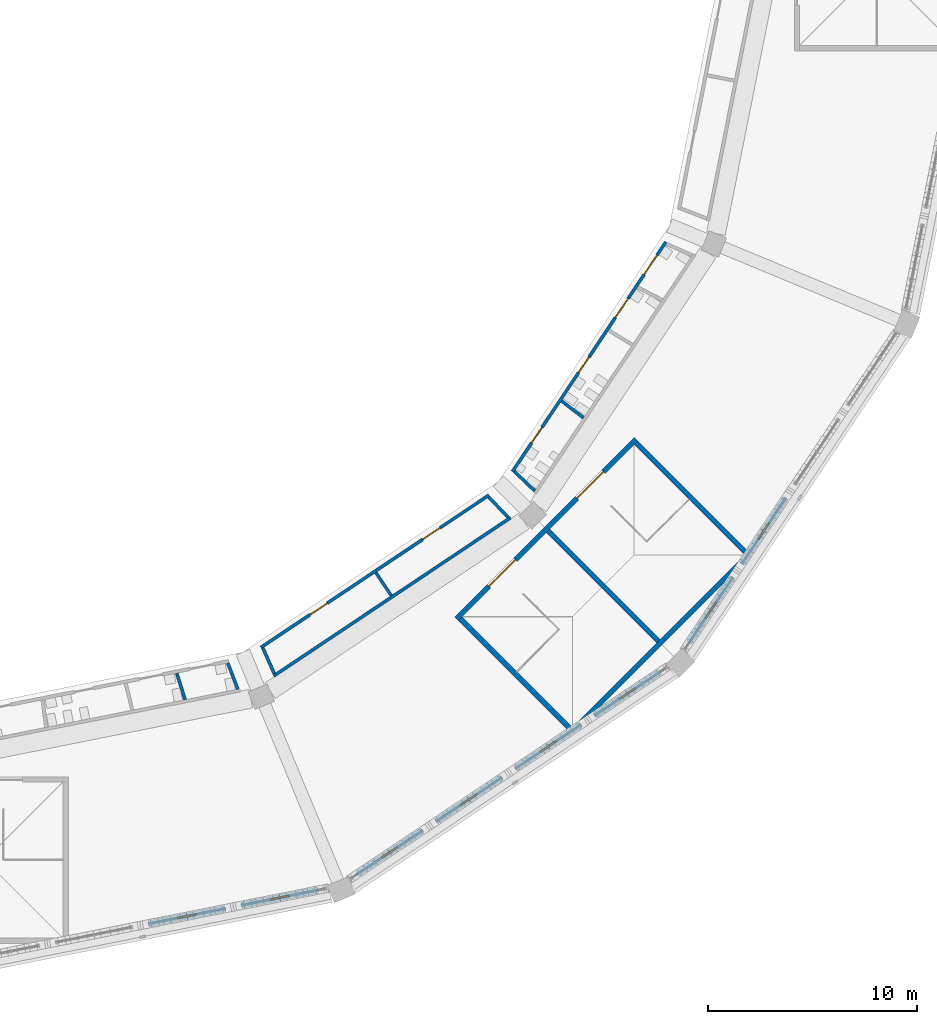
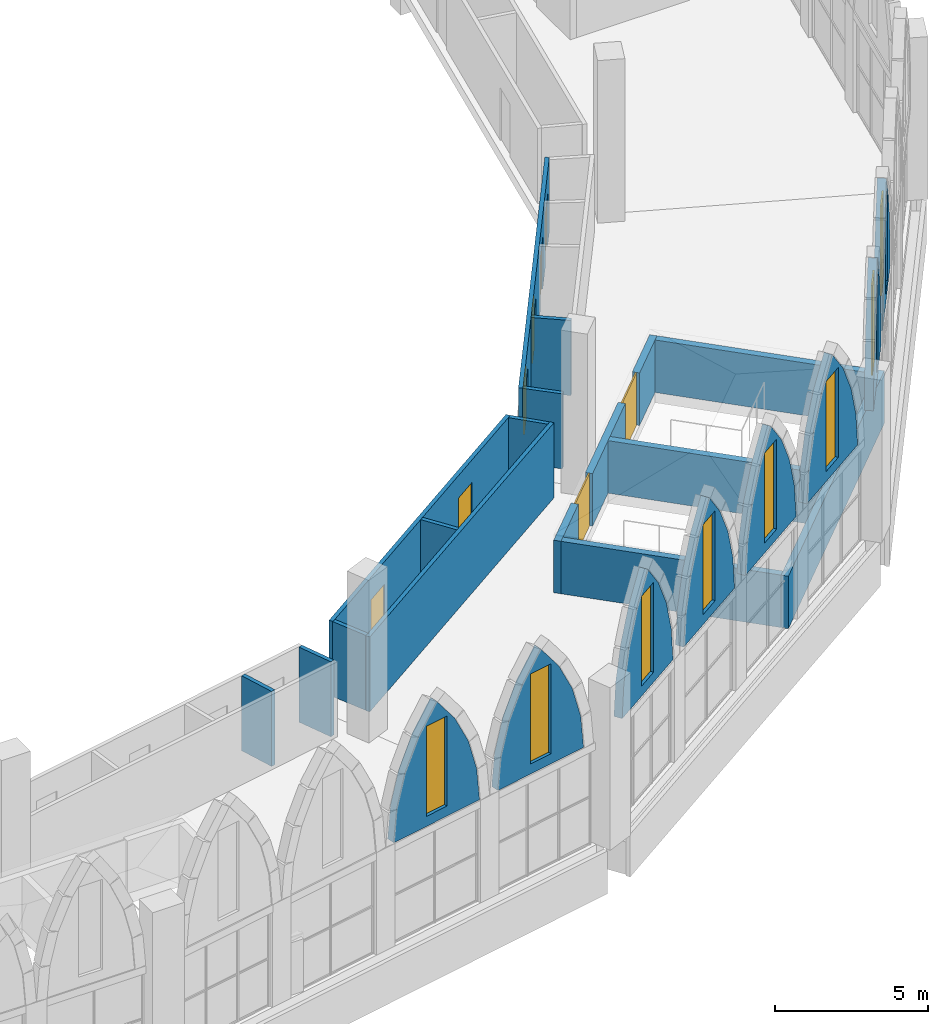
# One storey, part 72 of 130: 23 walls, 8 doors, 8 windows, 16 openings.
"""IFC4 building model written with IfcOpenShell, lengths in metres."""

from ifc_helpers import new_model, si_unit, direction, frame, frame_2d, origin, place, context, subcontext, project, spatial, polyline, rectangle, outline, extrude, material, layer, layer_set, type_object, element, fill, save


model = new_model("IFC4")

# Units and contexts
model_context = context("Model", 3, precision=1e-05, world=origin(), true_north=direction((0.0, 1.0)))
body_context = subcontext(model_context, "Body", "Model", "MODEL_VIEW")
ifc_project = project(units=[si_unit("LENGTHUNIT", "METRE"), si_unit("AREAUNIT", "SQUARE_METRE"), si_unit("VOLUMEUNIT", "CUBIC_METRE"), si_unit("PLANEANGLEUNIT", "RADIAN"), si_unit("MASSUNIT", "GRAM", prefix="KILO")], contexts=[model_context])

# Site, building, storey
site_placement = place(None, origin())
site = spatial("IfcSite", under=ifc_project, at=site_placement, CompositionType="ELEMENT")
building_placement = place(site_placement, origin())
building = spatial("IfcBuilding", under=site, at=building_placement, Name="Ogive Plaza Stadium", CompositionType="ELEMENT")
storey_placement = place(building_placement, frame((0.0, 0.0, 22.5)))
storey = spatial("IfcBuildingStorey", under=building, at=storey_placement, Name="L05", CompositionType="ELEMENT", Elevation=22.5)

# Wall, openings, doors
ifc_material_1 = material(Name="Masonry blockwork", Category="masonry")
ifc_layer_1 = layer(ifc_material_1, 0.14990234375)
ifc_layer_set_1 = layer_set([ifc_layer_1], Name="Blockwork wall 150")
wall_type_1 = type_object("IfcWallType", Name="Blockwork wall 150", PredefinedType="SOLIDWALL", material=ifc_layer_set_1)
wall_1_placement = place(storey_placement, frame((60.197265625, -79.819580078125, 0.0), z_axis=(0.0, 0.0, 1.0), x_axis=(-0.831471244595, -0.555567790114, 0.0)))
wall_1 = element("IfcWall", 1, at=wall_1_placement, inside=storey, type_object=wall_type_1, Name="Wall L05 B10", PredefinedType="SOLIDWALL", context=body_context, shape_type="SweptSolid", body=[
    extrude(rectangle(XDim=13.113037109375, YDim=0.14990234375, at=frame_2d((6.556640625, 0.0))), origin(), (0.0, 0.0, 1.0), 3.0),
])
opening_1_placement = place(wall_1_placement, frame((2.81494140625, 0.0, 0.0)))
opening_1 = element("IfcOpeningElement", 2, at=opening_1_placement, cuts=wall_1, Name="Opening D0945", PredefinedType="OPENING", context=body_context, shape_type="SweptSolid", body=[
    extrude(rectangle(XDim=1.0, YDim=2.10009765625, at=frame_2d((0.5, 1.050048828125))), frame((0.0, 0.074951171875, 0.0), z_axis=(0.0, -1.0, 0.0), x_axis=(1.0, 0.0, 0.0)), (0.0, 0.0, 1.0), 0.14990234375),
])
opening_2_placement = place(wall_1_placement, frame((9.298095703125, 0.0, 0.0)))
opening_2 = element("IfcOpeningElement", 3, at=opening_2_placement, cuts=wall_1, Name="Opening D0946", PredefinedType="OPENING", context=body_context, shape_type="SweptSolid", body=[
    extrude(rectangle(XDim=1.0, YDim=2.10009765625, at=frame_2d((0.5, 1.050048828125))), frame((0.0, 0.074951171875, 0.0), z_axis=(0.0, -1.0, 0.0), x_axis=(1.0, 0.0, 0.0)), (0.0, 0.0, 1.0), 0.14990234375),
])
ifc_material_2 = material(Name="Steel ASTM A572 Grade 50", Category="steel")
door_type_1 = type_object("IfcDoorType", Name="Door 1000 x 2100", OperationType="SINGLE_SWING_LEFT", PredefinedType="DOOR", material=ifc_material_2)
door_1_placement = place(opening_1_placement, origin())
door_1 = element("IfcDoor", 4, at=door_1_placement, inside=storey, type_object=door_type_1, Name="Concession Stand B10 door", OperationType="SINGLE_SWING_LEFT", OverallHeight=2.10009765625, OverallWidth=1.0, PredefinedType="DOOR", context=body_context, shape_type="SweptSolid", body=[
    extrude(rectangle(XDim=1.0, YDim=2.10009765625, at=frame_2d((0.5, 1.050048828125))), frame((0.0, 0.02490234375, 0.0), z_axis=(0.0, -1.0, 0.0), x_axis=(1.0, 0.0, 0.0)), (0.0, 0.0, 1.0), 0.050048828125),
])
fill(opening_1, door_1)
door_2_placement = place(opening_2_placement, origin())
door_2 = element("IfcDoor", 5, at=door_2_placement, inside=storey, type_object=door_type_1, Name="Concession Stand B10 door", OperationType="SINGLE_SWING_RIGHT", OverallHeight=2.10009765625, OverallWidth=1.0, PredefinedType="DOOR", context=body_context, shape_type="SweptSolid", body=[
    extrude(rectangle(XDim=1.0, YDim=2.10009765625, at=frame_2d((0.5, 1.050048828125))), frame((0.0, 0.02490234375, 0.0), z_axis=(0.0, -1.0, 0.0), x_axis=(1.0, 0.0, 0.0)), (0.0, 0.0, 1.0), 0.050048828125),
])
fill(opening_2, door_2)

# Walls
wall_2_placement = place(storey_placement, frame((61.2314453125, -80.89794921875, 0.0), z_axis=(0.0, 0.0, 1.0), x_axis=(-0.831471173823, -0.555567896033, 0.0)))
element("IfcWall", 6, at=wall_2_placement, inside=storey, type_object=wall_type_1, Name="Wall L05 B10", PredefinedType="SOLIDWALL", context=body_context, shape_type="SweptSolid", body=[
    extrude(rectangle(XDim=13.630615234375, YDim=0.14990234375, at=frame_2d((6.8154296875, 0.0))), origin(), (0.0, 0.0, 1.0), 3.0),
])
wall_3_placement = place(storey_placement, frame((60.187744140625, -79.914306640625, 0.0), z_axis=(0.0, 0.0, 1.0), x_axis=(0.690665776072, -0.723174104738, 0.0)))
element("IfcWall", 7, at=wall_3_placement, inside=storey, type_object=wall_type_1, Name="Wall L05 B10", PredefinedType="SOLIDWALL", context=body_context, shape_type="SweptSolid", body=[
    extrude(rectangle(XDim=1.34423828125, YDim=0.14990234375, at=frame_2d((0.672119140625, 0.0))), origin(), (0.0, 0.0, 1.0), 3.0),
])
wall_4_placement = place(storey_placement, frame((54.78662109375, -83.523193359375, 0.0), z_axis=(0.0, 0.0, 1.0), x_axis=(0.556613340271, -0.830771683095, 0.0)))
element("IfcWall", 8, at=wall_4_placement, inside=storey, type_object=wall_type_1, Name="Wall L05 B10", PredefinedType="SOLIDWALL", context=body_context, shape_type="SweptSolid", body=[
    extrude(rectangle(XDim=1.32421875, YDim=0.14990234375, at=frame_2d((0.662109375, 0.0))), origin(), (0.0, 0.0, 1.0), 3.0),
])
wall_5_placement = place(storey_placement, frame((49.3857421875, -87.132080078125, 0.0), z_axis=(0.0, 0.0, 1.0), x_axis=(0.405902438759, -0.913916413142, 0.0)))
element("IfcWall", 9, at=wall_5_placement, inside=storey, type_object=wall_type_1, Name="Wall L05 B10", PredefinedType="SOLIDWALL", context=body_context, shape_type="SweptSolid", body=[
    extrude(rectangle(XDim=1.34375, YDim=0.14990234375, at=frame_2d((0.671875, 0.0))), origin(), (0.0, 0.0, 1.0), 3.0),
])

# Wall, openings, doors
ifc_material_3 = material(Name="Concrete C40/50", Category="concrete")
ifc_layer_2 = layer(ifc_material_3, 0.25)
ifc_layer_set_2 = layer_set([ifc_layer_2], Name="Concrete C40/50")
wall_type_2 = type_object("IfcWallType", Name="Core wall 250", PredefinedType="SHEAR", material=ifc_layer_set_2)
wall_6_placement = place(storey_placement, frame((58.642578125, -85.734130859375, 0.0), z_axis=(0.0, 0.0, 1.0), x_axis=(0.707106781187, 0.707106781187, 0.0)))
wall_6 = element("IfcWall", 10, at=wall_6_placement, inside=storey, type_object=wall_type_2, Name="Stair core R10 inner wall", PredefinedType="SHEAR", context=body_context, shape_type="SweptSolid", body=[
    extrude(rectangle(XDim=12.150390625, YDim=0.25, at=frame_2d((6.0751953125, 0.0))), origin(), (0.0, 0.0, 1.0), 2.10009765625),
])
opening_3_placement = place(wall_6_placement, frame((2.199951171875, 0.0, 0.0)))
opening_3 = element("IfcOpeningElement", 11, at=opening_3_placement, cuts=wall_6, Name="Opening D0103", PredefinedType="OPENING", context=body_context, shape_type="SweptSolid", body=[
    extrude(rectangle(XDim=1.800048828125, YDim=2.10009765625, at=frame_2d((0.89990234375, 1.050048828125))), frame((0.0, 0.125, 0.0), z_axis=(0.0, -1.0, 0.0), x_axis=(1.0, 0.0, 0.0)), (0.0, 0.0, 1.0), 0.25),
])
opening_4_placement = place(wall_6_placement, frame((8.14990234375, 0.0, 0.0)))
opening_4 = element("IfcOpeningElement", 12, at=opening_4_placement, cuts=wall_6, Name="Opening D0104", PredefinedType="OPENING", context=body_context, shape_type="SweptSolid", body=[
    extrude(rectangle(XDim=1.800048828125, YDim=2.10009765625, at=frame_2d((0.89990234375, 1.050048828125))), frame((0.0, 0.125, 0.0), z_axis=(0.0, -1.0, 0.0), x_axis=(1.0, 0.0, 0.0)), (0.0, 0.0, 1.0), 0.25),
])
ifc_material_4 = material(Name="Steel ASTM A572 Grade 50", Category="steel")
door_type_2 = type_object("IfcDoorType", Name="Fire door FD90 pair 1800 x 2100", OperationType="DOUBLE_DOOR_SINGLE_SWING", PredefinedType="DOOR", material=ifc_material_4)
door_3_placement = place(opening_3_placement, origin())
door_3 = element("IfcDoor", 13, at=door_3_placement, inside=storey, type_object=door_type_2, Name="Exit stair R10A door L05", OperationType="DOUBLE_DOOR_SINGLE_SWING", OverallHeight=2.10009765625, OverallWidth=1.800048828125, PredefinedType="DOOR", context=body_context, shape_type="SweptSolid", body=[
    extrude(rectangle(XDim=1.800048828125, YDim=2.10009765625, at=frame_2d((0.89990234375, 1.050048828125))), frame((0.0, 0.02490234375, 0.0), z_axis=(0.0, -1.0, 0.0), x_axis=(1.0, 0.0, 0.0)), (0.0, 0.0, 1.0), 0.050048828125),
])
fill(opening_3, door_3)
door_4_placement = place(opening_4_placement, origin())
door_4 = element("IfcDoor", 14, at=door_4_placement, inside=storey, type_object=door_type_2, Name="Exit stair R10B door L05", OperationType="DOUBLE_DOOR_SINGLE_SWING", OverallHeight=2.10009765625, OverallWidth=1.800048828125, PredefinedType="DOOR", context=body_context, shape_type="SweptSolid", body=[
    extrude(rectangle(XDim=1.800048828125, YDim=2.10009765625, at=frame_2d((0.89990234375, 1.050048828125))), frame((0.0, 0.02490234375, 0.0), z_axis=(0.0, -1.0, 0.0), x_axis=(1.0, 0.0, 0.0)), (0.0, 0.0, 1.0), 0.050048828125),
])
fill(opening_4, door_4)

# Walls
wall_7_placement = place(storey_placement, frame((64.094482421875, -91.185791015625, 0.0), z_axis=(0.0, 0.0, 1.0), x_axis=(0.707106781187, 0.707106781187, 0.0)))
element("IfcWall", 15, at=wall_7_placement, inside=storey, type_object=wall_type_2, Name="Stair core R10 outer wall", PredefinedType="SHEAR", context=body_context, shape_type="SweptSolid", body=[
    extrude(rectangle(XDim=12.14990234375, YDim=0.25, at=frame_2d((6.074951171875, 0.0))), origin(), (0.0, 0.0, 1.0), 2.10009765625),
])
for number, where, z_axis, x_axis, name in (
    (16, (58.8193359375, -85.734130859375, 0.0), (0.0, 0.0, 1.0), (0.707123144286, -0.707090417709, 0.0), "Stair core R10 side wall"),
    (17, (67.234130859375, -77.3193359375, 0.0), (0.0, 0.0, 1.0), (0.707090417709, -0.707123144286, 0.0), "Stair core R10 side wall"),
):
    element("IfcWall", number, at=place(storey_placement, frame(where, z_axis=z_axis, x_axis=x_axis)), inside=storey, type_object=wall_type_2, Name=name, PredefinedType="SHEAR", context=body_context, shape_type="SweptSolid", body=[
        extrude(rectangle(XDim=7.4599609375, YDim=0.25, at=frame_2d((3.72998046875, 0.0))), origin(), (0.0, 0.0, 1.0), 2.10009765625),
    ])
wall_8_placement = place(storey_placement, frame((63.026611328125, -81.526611328125, 0.0), z_axis=(0.0, 0.0, 1.0), x_axis=(0.707106781187, -0.707106781187, 0.0)))
element("IfcWall", 18, at=wall_8_placement, inside=storey, type_object=wall_type_2, Name="Stair core R10 centre wall", PredefinedType="SHEAR", context=body_context, shape_type="SweptSolid", body=[
    extrude(rectangle(XDim=7.460205078125, YDim=0.25, at=frame_2d((3.72998046875, 0.0))), origin(), (0.0, 0.0, 1.0), 2.10009765625),
])

# Wall, openings, doors
ifc_material_5 = material(Name="Gypsum board partition", Category="gypsum")
ifc_layer_3 = layer(ifc_material_5, 0.14990234375)
ifc_layer_set_3 = layer_set([ifc_layer_3], Name="Partition 150")
wall_type_3 = type_object("IfcWallType", Name="Partition 150", PredefinedType="PARTITIONING", material=ifc_layer_set_3)
wall_9_placement = place(storey_placement, frame((61.319580078125, -78.697265625, 0.0), z_axis=(0.0, 0.0, 1.0), x_axis=(0.555570028225, 0.831469749142, 0.0)))
wall_9 = element("IfcWall", 19, at=wall_9_placement, inside=storey, type_object=wall_type_3, Name="Wall L05 B09", PredefinedType="PARTITIONING", context=body_context, shape_type="SweptSolid", body=[
    extrude(rectangle(XDim=13.208740234375, YDim=0.14990234375, at=frame_2d((6.6044921875, 0.0))), origin(), (0.0, 0.0, 1.0), 3.0),
])
opening_5_placement = place(wall_9_placement, frame((1.648193359375, 0.0, 0.0)))
opening_5 = element("IfcOpeningElement", 20, at=opening_5_placement, cuts=wall_9, Name="Opening D0941", PredefinedType="OPENING", context=body_context, shape_type="SweptSolid", body=[
    extrude(rectangle(XDim=0.89990234375, YDim=2.10009765625, at=frame_2d((0.449951171875, 1.050048828125))), frame((0.0, 0.074951171875, 0.0), z_axis=(0.0, -1.0, 0.0), x_axis=(1.0, 0.0, 0.0)), (0.0, 0.0, 1.0), 0.14990234375),
])
opening_6_placement = place(wall_9_placement, frame((5.697265625, 0.0, 0.0)))
opening_6 = element("IfcOpeningElement", 21, at=opening_6_placement, cuts=wall_9, Name="Opening D0942", PredefinedType="OPENING", context=body_context, shape_type="SweptSolid", body=[
    extrude(rectangle(XDim=0.89990234375, YDim=2.10009765625, at=frame_2d((0.449951171875, 1.050048828125))), frame((0.0, 0.074951171875, 0.0), z_axis=(0.0, -1.0, 0.0), x_axis=(1.0, 0.0, 0.0)), (0.0, 0.0, 1.0), 0.14990234375),
])
opening_7_placement = place(wall_9_placement, frame((8.862548828125, 0.0, 0.0)))
opening_7 = element("IfcOpeningElement", 22, at=opening_7_placement, cuts=wall_9, Name="Opening D0943", PredefinedType="OPENING", context=body_context, shape_type="SweptSolid", body=[
    extrude(rectangle(XDim=1.10009765625, YDim=2.10009765625, at=frame_2d((0.550048828125, 1.050048828125))), frame((0.0, 0.074951171875, 0.0), z_axis=(0.0, -1.0, 0.0), x_axis=(1.0, 0.0, 0.0)), (0.0, 0.0, 1.0), 0.14990234375),
])
opening_8_placement = place(wall_9_placement, frame((11.344482421875, 0.0, 0.0)))
opening_8 = element("IfcOpeningElement", 23, at=opening_8_placement, cuts=wall_9, Name="Opening D0944", PredefinedType="OPENING", context=body_context, shape_type="SweptSolid", body=[
    extrude(rectangle(XDim=1.10009765625, YDim=2.10009765625, at=frame_2d((0.550048828125, 1.050048828125))), frame((0.0, 0.074951171875, 0.0), z_axis=(0.0, -1.0, 0.0), x_axis=(1.0, 0.0, 0.0)), (0.0, 0.0, 1.0), 0.14990234375),
])
ifc_material_6 = material(Name="Steel ASTM A572 Grade 50", Category="steel")
door_type_3 = type_object("IfcDoorType", Name="Accessible door 1100 x 2100", OperationType="SINGLE_SWING_LEFT", PredefinedType="DOOR", material=ifc_material_6)
door_5_placement = place(opening_7_placement, origin())
door_5 = element("IfcDoor", 24, at=door_5_placement, inside=storey, type_object=door_type_3, Name="Accessible WC B09 door", OperationType="SINGLE_SWING_LEFT", OverallHeight=2.10009765625, OverallWidth=1.10009765625, PredefinedType="DOOR", context=body_context, shape_type="SweptSolid", body=[
    extrude(rectangle(XDim=1.10009765625, YDim=2.10009765625, at=frame_2d((0.550048828125, 1.050048828125))), frame((0.0, 0.02490234375, 0.0), z_axis=(0.0, -1.0, 0.0), x_axis=(1.0, 0.0, 0.0)), (0.0, 0.0, 1.0), 0.050048828125),
])
fill(opening_7, door_5)
door_6_placement = place(opening_8_placement, origin())
door_6 = element("IfcDoor", 25, at=door_6_placement, inside=storey, type_object=door_type_3, Name="Family WC B09 door", OperationType="SINGLE_SWING_LEFT", OverallHeight=2.10009765625, OverallWidth=1.10009765625, PredefinedType="DOOR", context=body_context, shape_type="SweptSolid", body=[
    extrude(rectangle(XDim=1.10009765625, YDim=2.10009765625, at=frame_2d((0.550048828125, 1.050048828125))), frame((0.0, 0.02490234375, 0.0), z_axis=(0.0, -1.0, 0.0), x_axis=(1.0, 0.0, 0.0)), (0.0, 0.0, 1.0), 0.050048828125),
])
fill(opening_8, door_6)
ifc_material_7 = material(Name="Steel ASTM A572 Grade 50", Category="steel")
door_type_4 = type_object("IfcDoorType", Name="Door 900 x 2100", OperationType="SINGLE_SWING_LEFT", PredefinedType="DOOR", material=ifc_material_7)
door_7_placement = place(opening_5_placement, origin())
door_7 = element("IfcDoor", 26, at=door_7_placement, inside=storey, type_object=door_type_4, Name="Men's Toilet B09 door", OperationType="SINGLE_SWING_RIGHT", OverallHeight=2.10009765625, OverallWidth=0.89990234375, PredefinedType="DOOR", context=body_context, shape_type="SweptSolid", body=[
    extrude(rectangle(XDim=0.89990234375, YDim=2.10009765625, at=frame_2d((0.449951171875, 1.050048828125))), frame((0.0, 0.02490234375, 0.0), z_axis=(0.0, -1.0, 0.0), x_axis=(1.0, 0.0, 0.0)), (0.0, 0.0, 1.0), 0.050048828125),
])
fill(opening_5, door_7)
door_8_placement = place(opening_6_placement, origin())
door_8 = element("IfcDoor", 27, at=door_8_placement, inside=storey, type_object=door_type_4, Name="Women's Toilet B09 door", OperationType="SINGLE_SWING_LEFT", OverallHeight=2.10009765625, OverallWidth=0.89990234375, PredefinedType="DOOR", context=body_context, shape_type="SweptSolid", body=[
    extrude(rectangle(XDim=0.89990234375, YDim=2.10009765625, at=frame_2d((0.449951171875, 1.050048828125))), frame((0.0, 0.02490234375, 0.0), z_axis=(0.0, -1.0, 0.0), x_axis=(1.0, 0.0, 0.0)), (0.0, 0.0, 1.0), 0.050048828125),
])
fill(opening_6, door_8)

# Walls
wall_10_placement = place(storey_placement, frame((61.414306640625, -78.687744140625, 0.0), z_axis=(0.0, 0.0, 1.0), x_axis=(0.723174104738, -0.690665776072, 0.0)))
element("IfcWall", 28, at=wall_10_placement, inside=storey, type_object=wall_type_3, Name="Wall L05 B09", PredefinedType="PARTITIONING", context=body_context, shape_type="SweptSolid", body=[
    extrude(rectangle(XDim=1.34423828125, YDim=0.14990234375, at=frame_2d((0.672119140625, 0.0))), origin(), (0.0, 0.0, 1.0), 3.0),
])
wall_11_placement = place(storey_placement, frame((63.66845703125, -75.314453125, 0.0), z_axis=(0.0, 0.0, 1.0), x_axis=(0.792767594219, -0.609524028695, 0.0)))
element("IfcWall", 29, at=wall_11_placement, inside=storey, type_object=wall_type_3, Name="Wall L05 B09", PredefinedType="PARTITIONING", context=body_context, shape_type="SweptSolid", body=[
    extrude(rectangle(XDim=1.326904296875, YDim=0.14990234375, at=frame_2d((0.66357421875, 0.0))), origin(), (0.0, 0.0, 1.0), 3.0),
])
wall_12_placement = place(storey_placement, frame((45.264404296875, -88.33447265625, 0.0), z_axis=(0.0, 0.0, 1.0), x_axis=(0.299902863417, -0.953969744024, 0.0)))
element("IfcWall", 30, at=wall_12_placement, inside=storey, type_object=wall_type_3, Name="Wall L05 B11", PredefinedType="PARTITIONING", context=body_context, shape_type="SweptSolid", body=[
    extrude(rectangle(XDim=1.331787109375, YDim=0.14990234375, at=frame_2d((0.666015625, 0.0))), origin(), (0.0, 0.0, 1.0), 3.0),
])
wall_13_placement = place(storey_placement, frame((47.703369140625, -87.84912109375, 0.0), z_axis=(0.0, 0.0, 1.0), x_axis=(0.36141186071, -0.932406277831, 0.0)))
element("IfcWall", 31, at=wall_13_placement, inside=storey, type_object=wall_type_3, Name="Wall L05 B11", PredefinedType="PARTITIONING", context=body_context, shape_type="SweptSolid", body=[
    extrude(rectangle(XDim=1.34423828125, YDim=0.14990234375, at=frame_2d((0.672119140625, 0.0))), origin(), (0.0, 0.0, 1.0), 3.0),
])

# Wall, opening, window
ifc_material_8 = material(Name="Concrete C45/55 precast", Category="concrete")
ifc_layer_4 = layer(ifc_material_8, 0.25)
ifc_material_9 = material(Name="Cast stone (reconstituted limestone)", Category="masonry")
ifc_layer_5 = layer(ifc_material_9, 0.050048828125)
ifc_layer_set_4 = layer_set([ifc_layer_4, ifc_layer_5], Name="Concrete C45/55 precast, cast stone facing")
wall_type_4 = type_object("IfcWallType", Name="Tympanum wall 300", PredefinedType="SOLIDWALL", material=ifc_layer_set_4)
wall_14_placement = place(storey_placement, frame((74.38623046875, -79.96630859375, 4.10009765625), z_axis=(0.0, 0.0, 1.0), x_axis=(-0.555599628384, -0.831449970196, 0.0)))
wall_14 = element("IfcWall", 32, at=wall_14_placement, inside=storey, type_object=wall_type_4, Name="TYMPANUM B09 3", PredefinedType="SOLIDWALL", context=body_context, shape_type="SweptSolid", body=[
    extrude(outline(polyline([(0.0, 0.0), (3.757080078125, 0.0), (3.757080078125, 0.0498046875), (3.634521484375, 1.311279296875), (3.270751953125, 2.5771484375), (2.678466796875, 3.753662109375), (1.878662109375, 4.7998046875), (1.07861328125, 3.753662109375), (0.486328125, 2.5771484375), (0.12255859375, 1.311279296875), (0.0, 0.0498046875), (0.0, 0.0)])), frame((0.0, 0.14990234375, 0.0), z_axis=(0.0, -1.0, 0.0), x_axis=(1.0, 0.0, 0.0)), (0.0, 0.0, 1.0), 0.300048828125),
])
opening_9_placement = place(wall_14_placement, frame((1.428466796875, 0.0, 0.39990234375)))
opening_9 = element("IfcOpeningElement", 33, at=opening_9_placement, cuts=wall_14, Name="Opening W-09-3", PredefinedType="OPENING", context=body_context, shape_type="SweptSolid", body=[
    extrude(rectangle(XDim=0.89990234375, YDim=3.60009765625, at=frame_2d((0.449951171875, 1.800048828125))), frame((0.0, 0.16015625, 0.0), z_axis=(0.0, -1.0, 0.0), x_axis=(1.0, 0.0, 0.0)), (0.0, 0.0, 1.0), 0.320068359375),
])
ifc_material_10 = material(Name="Bronze-anodised aluminium and laminated glass", Category="aluminium")
window_type = type_object("IfcWindowType", Name="Lancet window 900 x 3600", PartitioningType="SINGLE_PANEL", PredefinedType="WINDOW", material=ifc_material_10)
window_1_placement = place(opening_9_placement, origin())
window_1 = element("IfcWindow", 34, at=window_1_placement, inside=storey, type_object=window_type, Name="LANCET WINDOW B09 3", OverallHeight=3.60009765625, OverallWidth=0.89990234375, PartitioningType="SINGLE_PANEL", PredefinedType="WINDOW", context=body_context, shape_type="SweptSolid", body=[
    extrude(rectangle(XDim=0.89990234375, YDim=3.60009765625, at=frame_2d((0.449951171875, 1.800048828125))), frame((0.0, 0.030029296875, 0.0), z_axis=(0.0, -1.0, 0.0), x_axis=(1.0, 0.0, 0.0)), (0.0, 0.0, 1.0), 0.06005859375),
])
fill(opening_9, window_1)

wall_15_placement = place(storey_placement, frame((71.854248046875, -83.75537109375, 4.10009765625), z_axis=(0.0, 0.0, 1.0), x_axis=(-0.555554703021, -0.831479988906, 0.0)))
wall_15 = element("IfcWall", 35, at=wall_15_placement, inside=storey, type_object=wall_type_4, Name="TYMPANUM B09 4", PredefinedType="SOLIDWALL", context=body_context, shape_type="SweptSolid", body=[
    extrude(outline(polyline([(0.0, 0.0), (3.7568359375, 0.0), (3.757080078125, 0.0498046875), (3.634521484375, 1.311279296875), (3.270751953125, 2.5771484375), (2.678466796875, 3.753662109375), (1.878662109375, 4.7998046875), (1.07861328125, 3.753662109375), (0.486328125, 2.5771484375), (0.12255859375, 1.311279296875), (0.0, 0.0498046875), (0.0, 0.0)])), frame((0.0, 0.14990234375, 0.0), z_axis=(0.0, -1.0, 0.0), x_axis=(1.0, 0.0, 0.0)), (0.0, 0.0, 1.0), 0.300048828125),
])
opening_10_placement = place(wall_15_placement, frame((1.428466796875, 0.0, 0.39990234375)))
opening_10 = element("IfcOpeningElement", 36, at=opening_10_placement, cuts=wall_15, Name="Opening W-09-4", PredefinedType="OPENING", context=body_context, shape_type="SweptSolid", body=[
    extrude(rectangle(XDim=0.89990234375, YDim=3.60009765625, at=frame_2d((0.449951171875, 1.800048828125))), frame((0.0, 0.16015625, 0.0), z_axis=(0.0, -1.0, 0.0), x_axis=(1.0, 0.0, 0.0)), (0.0, 0.0, 1.0), 0.320068359375),
])
window_2_placement = place(opening_10_placement, origin())
window_2 = element("IfcWindow", 37, at=window_2_placement, inside=storey, type_object=window_type, Name="LANCET WINDOW B09 4", OverallHeight=3.60009765625, OverallWidth=0.89990234375, PartitioningType="SINGLE_PANEL", PredefinedType="WINDOW", context=body_context, shape_type="SweptSolid", body=[
    extrude(rectangle(XDim=0.89990234375, YDim=3.60009765625, at=frame_2d((0.449951171875, 1.800048828125))), frame((0.0, 0.030029296875, 0.0), z_axis=(0.0, -1.0, 0.0), x_axis=(1.0, 0.0, 0.0)), (0.0, 0.0, 1.0), 0.06005859375),
])
fill(opening_10, window_2)

wall_16_placement = place(storey_placement, frame((68.379150390625, -88.26708984375, 4.10009765625), z_axis=(0.0, 0.0, 1.0), x_axis=(-0.831479988906, -0.555554703021, 0.0)))
wall_16 = element("IfcWall", 38, at=wall_16_placement, inside=storey, type_object=wall_type_4, Name="TYMPANUM B10 1", PredefinedType="SOLIDWALL", context=body_context, shape_type="SweptSolid", body=[
    extrude(outline(polyline([(0.0, 0.0), (3.7568359375, 0.0), (3.757080078125, 0.0498046875), (3.634521484375, 1.311279296875), (3.270751953125, 2.5771484375), (2.678466796875, 3.753662109375), (1.878662109375, 4.7998046875), (1.07861328125, 3.753662109375), (0.486328125, 2.5771484375), (0.12255859375, 1.311279296875), (0.0, 0.0498046875), (0.0, 0.0)])), frame((0.0, 0.14990234375, 0.0), z_axis=(0.0, -1.0, 0.0), x_axis=(1.0, 0.0, 0.0)), (0.0, 0.0, 1.0), 0.300048828125),
])
opening_11_placement = place(wall_16_placement, frame((1.428466796875, 0.0, 0.39990234375)))
opening_11 = element("IfcOpeningElement", 39, at=opening_11_placement, cuts=wall_16, Name="Opening W-10-1", PredefinedType="OPENING", context=body_context, shape_type="SweptSolid", body=[
    extrude(rectangle(XDim=0.89990234375, YDim=3.60009765625, at=frame_2d((0.449951171875, 1.800048828125))), frame((0.0, 0.16015625, 0.0), z_axis=(0.0, -1.0, 0.0), x_axis=(1.0, 0.0, 0.0)), (0.0, 0.0, 1.0), 0.320068359375),
])
window_3_placement = place(opening_11_placement, origin())
window_3 = element("IfcWindow", 40, at=window_3_placement, inside=storey, type_object=window_type, Name="LANCET WINDOW B10 1", OverallHeight=3.60009765625, OverallWidth=0.89990234375, PartitioningType="SINGLE_PANEL", PredefinedType="WINDOW", context=body_context, shape_type="SweptSolid", body=[
    extrude(rectangle(XDim=0.89990234375, YDim=3.60009765625, at=frame_2d((0.449951171875, 1.800048828125))), frame((0.0, 0.030029296875, 0.0), z_axis=(0.0, -1.0, 0.0), x_axis=(1.0, 0.0, 0.0)), (0.0, 0.0, 1.0), 0.06005859375),
])
fill(opening_11, window_3)

wall_17_placement = place(storey_placement, frame((64.590087890625, -90.798828125, 4.10009765625), z_axis=(0.0, 0.0, 1.0), x_axis=(-0.831449970196, -0.555599628384, 0.0)))
wall_17 = element("IfcWall", 41, at=wall_17_placement, inside=storey, type_object=wall_type_4, Name="TYMPANUM B10 2", PredefinedType="SOLIDWALL", context=body_context, shape_type="SweptSolid", body=[
    extrude(outline(polyline([(0.0, 0.0), (3.757080078125, 0.0), (3.757080078125, 0.0498046875), (3.634521484375, 1.311279296875), (3.270751953125, 2.5771484375), (2.678466796875, 3.753662109375), (1.878662109375, 4.7998046875), (1.07861328125, 3.753662109375), (0.486328125, 2.5771484375), (0.12255859375, 1.311279296875), (0.0, 0.0498046875), (0.0, 0.0)])), frame((0.0, 0.14990234375, 0.0), z_axis=(0.0, -1.0, 0.0), x_axis=(1.0, 0.0, 0.0)), (0.0, 0.0, 1.0), 0.300048828125),
])
opening_12_placement = place(wall_17_placement, frame((1.428466796875, 0.0, 0.39990234375)))
opening_12 = element("IfcOpeningElement", 42, at=opening_12_placement, cuts=wall_17, Name="Opening W-10-2", PredefinedType="OPENING", context=body_context, shape_type="SweptSolid", body=[
    extrude(rectangle(XDim=0.89990234375, YDim=3.60009765625, at=frame_2d((0.449951171875, 1.800048828125))), frame((0.0, 0.16015625, 0.0), z_axis=(0.0, -1.0, 0.0), x_axis=(1.0, 0.0, 0.0)), (0.0, 0.0, 1.0), 0.320068359375),
])
window_4_placement = place(opening_12_placement, origin())
window_4 = element("IfcWindow", 43, at=window_4_placement, inside=storey, type_object=window_type, Name="LANCET WINDOW B10 2", OverallHeight=3.60009765625, OverallWidth=0.89990234375, PartitioningType="SINGLE_PANEL", PredefinedType="WINDOW", context=body_context, shape_type="SweptSolid", body=[
    extrude(rectangle(XDim=0.89990234375, YDim=3.60009765625, at=frame_2d((0.449951171875, 1.800048828125))), frame((0.0, 0.030029296875, 0.0), z_axis=(0.0, -1.0, 0.0), x_axis=(1.0, 0.0, 0.0)), (0.0, 0.0, 1.0), 0.06005859375),
])
fill(opening_12, window_4)

wall_18_placement = place(storey_placement, frame((60.801025390625, -93.33056640625, 4.10009765625), z_axis=(0.0, 0.0, 1.0), x_axis=(-0.831449970196, -0.555599628384, 0.0)))
wall_18 = element("IfcWall", 44, at=wall_18_placement, inside=storey, type_object=wall_type_4, Name="TYMPANUM B10 3", PredefinedType="SOLIDWALL", context=body_context, shape_type="SweptSolid", body=[
    extrude(outline(polyline([(0.0, 0.0), (3.757080078125, 0.0), (3.757080078125, 0.0498046875), (3.634521484375, 1.311279296875), (3.270751953125, 2.5771484375), (2.678466796875, 3.753662109375), (1.878662109375, 4.7998046875), (1.07861328125, 3.753662109375), (0.486328125, 2.5771484375), (0.12255859375, 1.311279296875), (0.0, 0.0498046875), (0.0, 0.0)])), frame((0.0, 0.14990234375, 0.0), z_axis=(0.0, -1.0, 0.0), x_axis=(1.0, 0.0, 0.0)), (0.0, 0.0, 1.0), 0.300048828125),
])
opening_13_placement = place(wall_18_placement, frame((1.428466796875, 0.0, 0.39990234375)))
opening_13 = element("IfcOpeningElement", 45, at=opening_13_placement, cuts=wall_18, Name="Opening W-10-3", PredefinedType="OPENING", context=body_context, shape_type="SweptSolid", body=[
    extrude(rectangle(XDim=0.89990234375, YDim=3.60009765625, at=frame_2d((0.449951171875, 1.800048828125))), frame((0.0, 0.16015625, 0.0), z_axis=(0.0, -1.0, 0.0), x_axis=(1.0, 0.0, 0.0)), (0.0, 0.0, 1.0), 0.320068359375),
])
window_5_placement = place(opening_13_placement, origin())
window_5 = element("IfcWindow", 46, at=window_5_placement, inside=storey, type_object=window_type, Name="LANCET WINDOW B10 3", OverallHeight=3.60009765625, OverallWidth=0.89990234375, PartitioningType="SINGLE_PANEL", PredefinedType="WINDOW", context=body_context, shape_type="SweptSolid", body=[
    extrude(rectangle(XDim=0.89990234375, YDim=3.60009765625, at=frame_2d((0.449951171875, 1.800048828125))), frame((0.0, 0.030029296875, 0.0), z_axis=(0.0, -1.0, 0.0), x_axis=(1.0, 0.0, 0.0)), (0.0, 0.0, 1.0), 0.06005859375),
])
fill(opening_13, window_5)

wall_19_placement = place(storey_placement, frame((57.011962890625, -95.8623046875, 4.10009765625), z_axis=(0.0, 0.0, 1.0), x_axis=(-0.831449970196, -0.555599628384, 0.0)))
wall_19 = element("IfcWall", 47, at=wall_19_placement, inside=storey, type_object=wall_type_4, Name="TYMPANUM B10 4", PredefinedType="SOLIDWALL", context=body_context, shape_type="SweptSolid", body=[
    extrude(outline(polyline([(0.0, 0.0), (3.757080078125, 0.0), (3.757080078125, 0.0498046875), (3.634521484375, 1.311279296875), (3.270751953125, 2.5771484375), (2.678466796875, 3.753662109375), (1.878662109375, 4.7998046875), (1.07861328125, 3.753662109375), (0.486328125, 2.5771484375), (0.12255859375, 1.311279296875), (0.0, 0.0498046875), (0.0, 0.0)])), frame((0.0, 0.14990234375, 0.0), z_axis=(0.0, -1.0, 0.0), x_axis=(1.0, 0.0, 0.0)), (0.0, 0.0, 1.0), 0.300048828125),
])
opening_14_placement = place(wall_19_placement, frame((1.428466796875, 0.0, 0.39990234375)))
opening_14 = element("IfcOpeningElement", 48, at=opening_14_placement, cuts=wall_19, Name="Opening W-10-4", PredefinedType="OPENING", context=body_context, shape_type="SweptSolid", body=[
    extrude(rectangle(XDim=0.89990234375, YDim=3.60009765625, at=frame_2d((0.449951171875, 1.800048828125))), frame((0.0, 0.16015625, 0.0), z_axis=(0.0, -1.0, 0.0), x_axis=(1.0, 0.0, 0.0)), (0.0, 0.0, 1.0), 0.320068359375),
])
window_6_placement = place(opening_14_placement, origin())
window_6 = element("IfcWindow", 49, at=window_6_placement, inside=storey, type_object=window_type, Name="LANCET WINDOW B10 4", OverallHeight=3.60009765625, OverallWidth=0.89990234375, PartitioningType="SINGLE_PANEL", PredefinedType="WINDOW", context=body_context, shape_type="SweptSolid", body=[
    extrude(rectangle(XDim=0.89990234375, YDim=3.60009765625, at=frame_2d((0.449951171875, 1.800048828125))), frame((0.0, 0.030029296875, 0.0), z_axis=(0.0, -1.0, 0.0), x_axis=(1.0, 0.0, 0.0)), (0.0, 0.0, 1.0), 0.06005859375),
])
fill(opening_14, window_6)

wall_20_placement = place(storey_placement, frame((52.02490234375, -98.710693359375, 4.10009765625), z_axis=(0.0, 0.0, 1.0), x_axis=(-0.980783969686, -0.19509691132, 0.0)))
wall_20 = element("IfcWall", 50, at=wall_20_placement, inside=storey, type_object=wall_type_4, Name="TYMPANUM B11 1", PredefinedType="SOLIDWALL", context=body_context, shape_type="SweptSolid", body=[
    extrude(outline(polyline([(0.0, 0.0), (3.731689453125, 0.0), (3.731689453125, 0.0498046875), (3.60986328125, 1.309814453125), (3.248779296875, 2.574951171875), (2.66064453125, 3.751708984375), (1.86572265625, 4.7998046875), (1.07080078125, 3.751708984375), (0.48291015625, 2.574951171875), (0.121826171875, 1.309814453125), (0.0, 0.0498046875), (0.0, 0.0)])), frame((0.0, 0.14990234375, 0.0), z_axis=(0.0, -1.0, 0.0), x_axis=(1.0, 0.0, 0.0)), (0.0, 0.0, 1.0), 0.300048828125),
])
opening_15_placement = place(wall_20_placement, frame((1.415771484375, 0.0, 0.39990234375)))
opening_15 = element("IfcOpeningElement", 51, at=opening_15_placement, cuts=wall_20, Name="Opening W-11-1", PredefinedType="OPENING", context=body_context, shape_type="SweptSolid", body=[
    extrude(rectangle(XDim=0.89990234375, YDim=3.60009765625, at=frame_2d((0.449951171875, 1.800048828125))), frame((0.0, 0.16015625, 0.0), z_axis=(0.0, -1.0, 0.0), x_axis=(1.0, 0.0, 0.0)), (0.0, 0.0, 1.0), 0.320068359375),
])
window_7_placement = place(opening_15_placement, origin())
window_7 = element("IfcWindow", 52, at=window_7_placement, inside=storey, type_object=window_type, Name="LANCET WINDOW B11 1", OverallHeight=3.60009765625, OverallWidth=0.89990234375, PartitioningType="SINGLE_PANEL", PredefinedType="WINDOW", context=body_context, shape_type="SweptSolid", body=[
    extrude(rectangle(XDim=0.89990234375, YDim=3.60009765625, at=frame_2d((0.449951171875, 1.800048828125))), frame((0.0, 0.030029296875, 0.0), z_axis=(0.0, -1.0, 0.0), x_axis=(1.0, 0.0, 0.0)), (0.0, 0.0, 1.0), 0.06005859375),
])
fill(opening_15, window_7)

wall_21_placement = place(storey_placement, frame((47.580322265625, -99.5947265625, 4.10009765625), z_axis=(0.0, 0.0, 1.0), x_axis=(-0.980783969686, -0.19509691132, 0.0)))
wall_21 = element("IfcWall", 53, at=wall_21_placement, inside=storey, type_object=wall_type_4, Name="TYMPANUM B11 2", PredefinedType="SOLIDWALL", context=body_context, shape_type="SweptSolid", body=[
    extrude(outline(polyline([(0.0, 0.0), (3.731689453125, 0.0), (3.731689453125, 0.0498046875), (3.60986328125, 1.309814453125), (3.248779296875, 2.574951171875), (2.66064453125, 3.751708984375), (1.86572265625, 4.7998046875), (1.07080078125, 3.751708984375), (0.48291015625, 2.574951171875), (0.121826171875, 1.309814453125), (0.0, 0.0498046875), (0.0, 0.0)])), frame((0.0, 0.14990234375, 0.0), z_axis=(0.0, -1.0, 0.0), x_axis=(1.0, 0.0, 0.0)), (0.0, 0.0, 1.0), 0.300048828125),
])
opening_16_placement = place(wall_21_placement, frame((1.415771484375, 0.0, 0.39990234375)))
opening_16 = element("IfcOpeningElement", 54, at=opening_16_placement, cuts=wall_21, Name="Opening W-11-2", PredefinedType="OPENING", context=body_context, shape_type="SweptSolid", body=[
    extrude(rectangle(XDim=0.89990234375, YDim=3.60009765625, at=frame_2d((0.449951171875, 1.800048828125))), frame((0.0, 0.16015625, 0.0), z_axis=(0.0, -1.0, 0.0), x_axis=(1.0, 0.0, 0.0)), (0.0, 0.0, 1.0), 0.320068359375),
])
window_8_placement = place(opening_16_placement, origin())
window_8 = element("IfcWindow", 55, at=window_8_placement, inside=storey, type_object=window_type, Name="LANCET WINDOW B11 2", OverallHeight=3.60009765625, OverallWidth=0.89990234375, PartitioningType="SINGLE_PANEL", PredefinedType="WINDOW", context=body_context, shape_type="SweptSolid", body=[
    extrude(rectangle(XDim=0.89990234375, YDim=3.60009765625, at=frame_2d((0.449951171875, 1.800048828125))), frame((0.0, 0.030029296875, 0.0), z_axis=(0.0, -1.0, 0.0), x_axis=(1.0, 0.0, 0.0)), (0.0, 0.0, 1.0), 0.06005859375),
])
fill(opening_16, window_8)

save(model, "model.ifc")
